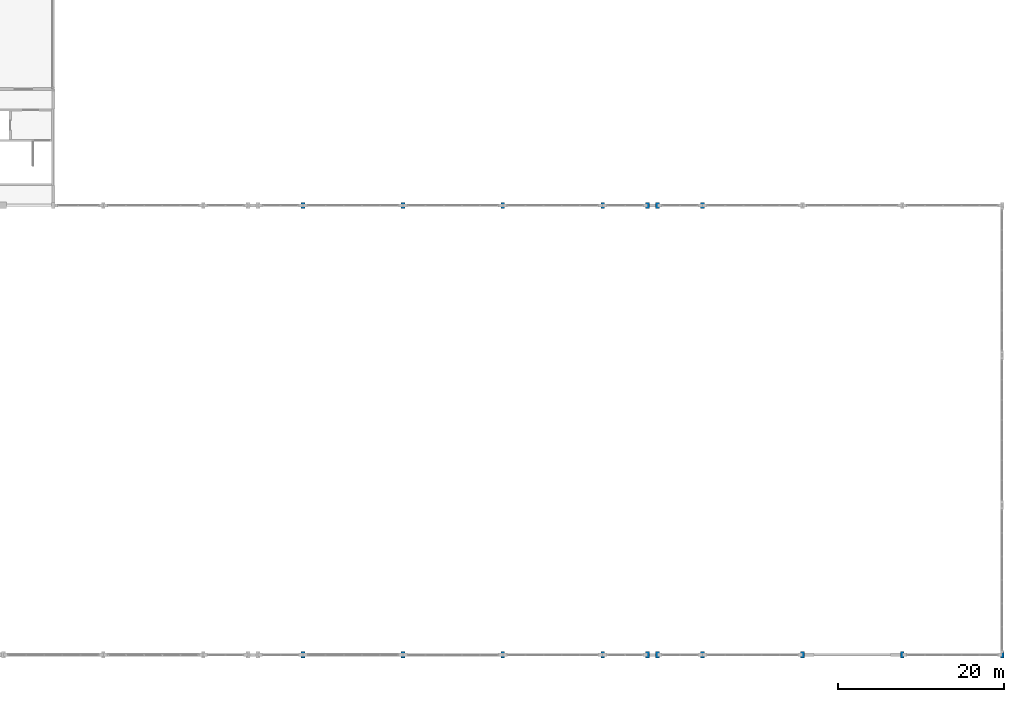
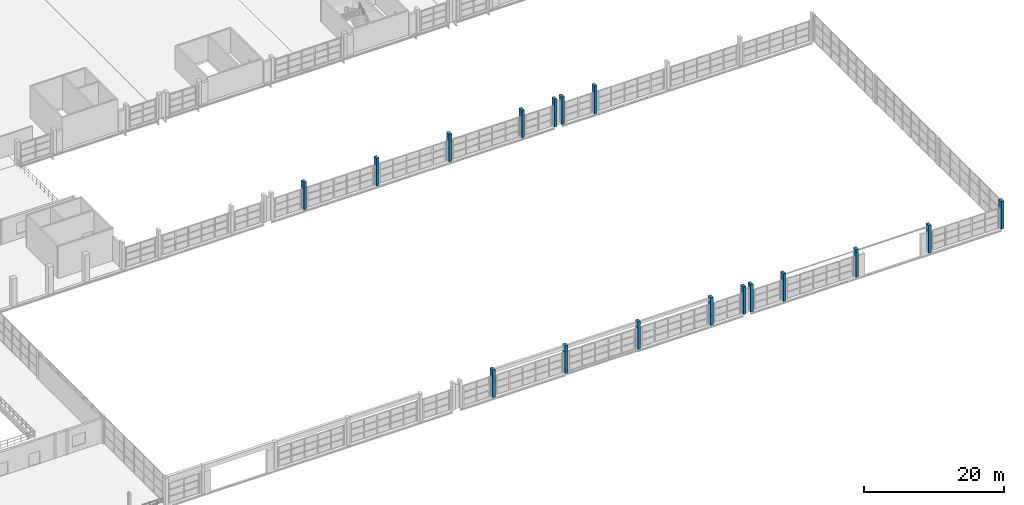
# One storey, part 15 of 147: 17 columns.
"""IFC4 building model written with IfcOpenShell, lengths in metres."""

from ifc_helpers import new_model, si_unit, direction, frame, origin, origin_2d, place, context, subcontext, project, spatial, rectangle, extrude, material, material_profile, profile_set, type_object, element, save


model = new_model("IFC4")

# Units and contexts
model_context = context("Model", 3, precision=1e-05, world=origin(), true_north=direction((0.0, 1.0)))
body_context = subcontext(model_context, "Body", "Model", "MODEL_VIEW")
ifc_project = project(units=[si_unit("LENGTHUNIT", "METRE"), si_unit("AREAUNIT", "SQUARE_METRE"), si_unit("VOLUMEUNIT", "CUBIC_METRE"), si_unit("PLANEANGLEUNIT", "RADIAN"), si_unit("MASSUNIT", "GRAM", prefix="KILO")], contexts=[model_context])

# Site, building, storey
site_placement = place(None, origin())
site = spatial("IfcSite", under=ifc_project, at=site_placement, CompositionType="ELEMENT")
building_placement = place(site_placement, origin())
building = spatial("IfcBuilding", under=site, at=building_placement, Name="Zilviju Railside Exhibition Hall", CompositionType="ELEMENT")
storey_placement = place(building_placement, frame((0.0, 0.0, 8.39990234375)))
storey = spatial("IfcBuildingStorey", under=building, at=storey_placement, Name="L03", CompositionType="ELEMENT", Elevation=8.39990234375)

# Columns
ifc_material = material(Name="Concrete C40/50", Category="concrete")
ifc_material_profile = material_profile(ifc_material, rectangle(XDim=0.449951171875, YDim=0.75, at=origin_2d()), Name="RC COL 450x750")
ifc_profile_set = profile_set([ifc_material_profile], Name="Concrete C40/50")
column_type = type_object("IfcColumnType", Name="PIL-RC-750x450", PredefinedType="PILASTER", material=ifc_profile_set)
for number, where, z_axis, x_axis, name in (
    (1, (132.0, 0.0, 0.0), (0.0, 0.0, 1.0), (1.0, 0.0, 0.0), "Structural Column L03 (132.0, 0.0)"),
    (2, (144.0, 0.0, 0.0), (0.0, 0.0, 1.0), (1.0, 0.0, 0.0), "Structural Column L03 (144.0, 0.0)"),
    (3, (156.0, 0.0, 0.0), (0.0, 0.0, 1.0), (1.0, 0.0, 0.0), "Structural Column L03 (156.0, 0.0)"),
    (4, (168.0, 0.0, 0.0), (0.0, 0.0, 1.0), (1.0, 0.0, 0.0), "Structural Column L03 (168.0, 0.0)"),
    (5, (173.39990234375, 0.0, 0.0), (0.0, 0.0, 1.0), (1.0, 0.0, 0.0), "Structural Column L03 (173.4, 0.0)"),
    (6, (174.60009765625, 0.0, 0.0), (0.0, 0.0, 1.0), (1.0, 0.0, 0.0), "Structural Column L03 (174.6, 0.0)"),
    (7, (180.0, 0.0, 0.0), (0.0, 0.0, 1.0), (1.0, 0.0, 0.0), "Structural Column L03 (180.0, 0.0)"),
    (8, (192.0, 0.0, 0.0), (0.0, 0.0, 1.0), (1.0, 0.0, 0.0), "Structural Column L03 (192.0, 0.0)"),
    (9, (204.0, 0.0, 0.0), (0.0, 0.0, 1.0), (1.0, 0.0, 0.0), "Structural Column L03 (204.0, 0.0)"),
    (10, (216.0, 0.0, 0.0), (0.0, 0.0, 1.0), (1.0, 0.0, 0.0), "Structural Column L03 (216.0, 0.0)"),
    (11, (132.0, 54.0, 0.0), (0.0, 0.0, 1.0), (1.0, 0.0, 0.0), "Structural Column L03 (132.0, 54.0)"),
    (12, (144.0, 54.0, 0.0), (0.0, 0.0, 1.0), (1.0, 0.0, 0.0), "Structural Column L03 (144.0, 54.0)"),
    (13, (156.0, 54.0, 0.0), (0.0, 0.0, 1.0), (1.0, 0.0, 0.0), "Structural Column L03 (156.0, 54.0)"),
    (14, (168.0, 54.0, 0.0), (0.0, 0.0, 1.0), (1.0, 0.0, 0.0), "Structural Column L03 (168.0, 54.0)"),
    (15, (173.39990234375, 54.0, 0.0), (0.0, 0.0, 1.0), (1.0, 0.0, 0.0), "Structural Column L03 (173.4, 54.0)"),
    (16, (174.60009765625, 54.0, 0.0), (0.0, 0.0, 1.0), (1.0, 0.0, 0.0), "Structural Column L03 (174.6, 54.0)"),
    (17, (180.0, 54.0, 0.0), (0.0, 0.0, 1.0), (1.0, 0.0, 0.0), "Structural Column L03 (180.0, 54.0)"),
):
    element("IfcColumn", number, at=place(storey_placement, frame(where, z_axis=z_axis, x_axis=x_axis)), inside=storey, type_object=column_type, Name=name, PredefinedType="PILASTER", context=body_context, shape_type="SweptSolid", body=[
        extrude(rectangle(XDim=0.449951171875, YDim=0.75, at=origin_2d()), origin(), (0.0, 0.0, 1.0), 4.800048828125),
    ])

save(model, "model.ifc")
